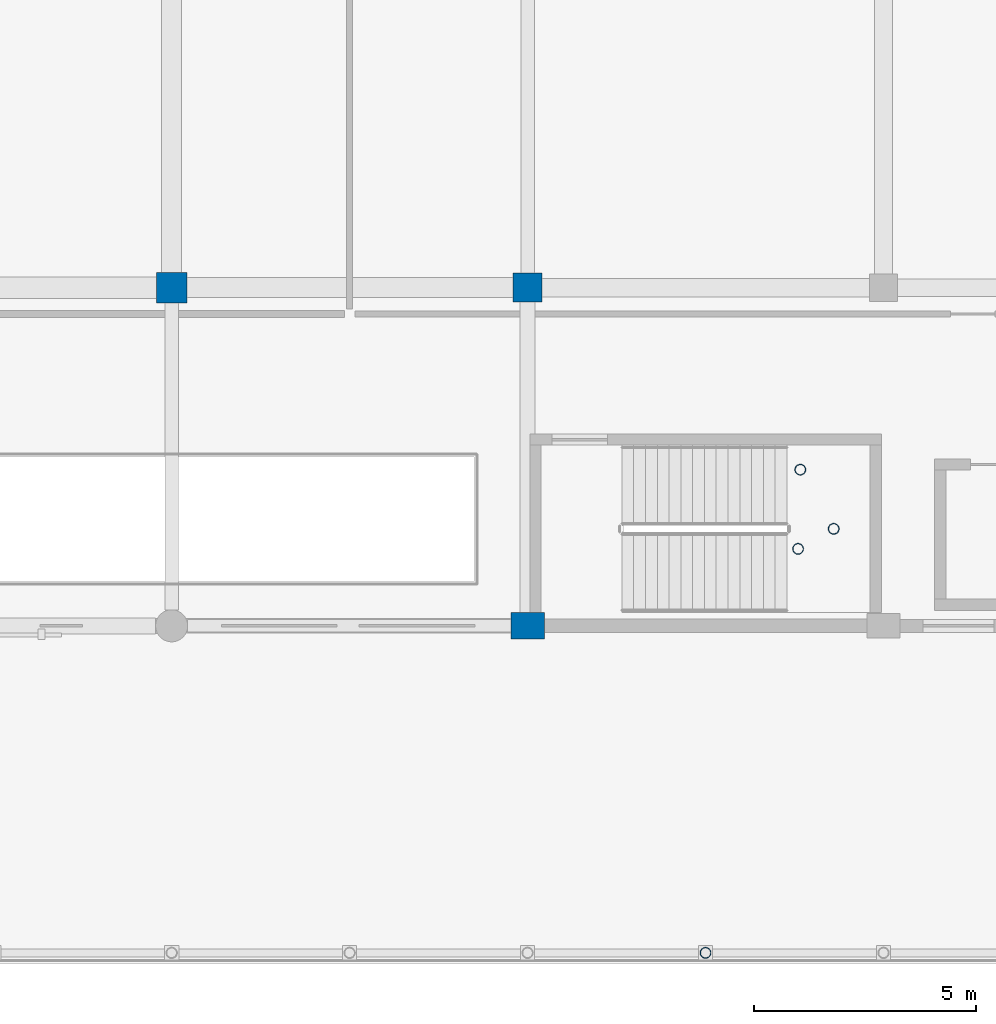
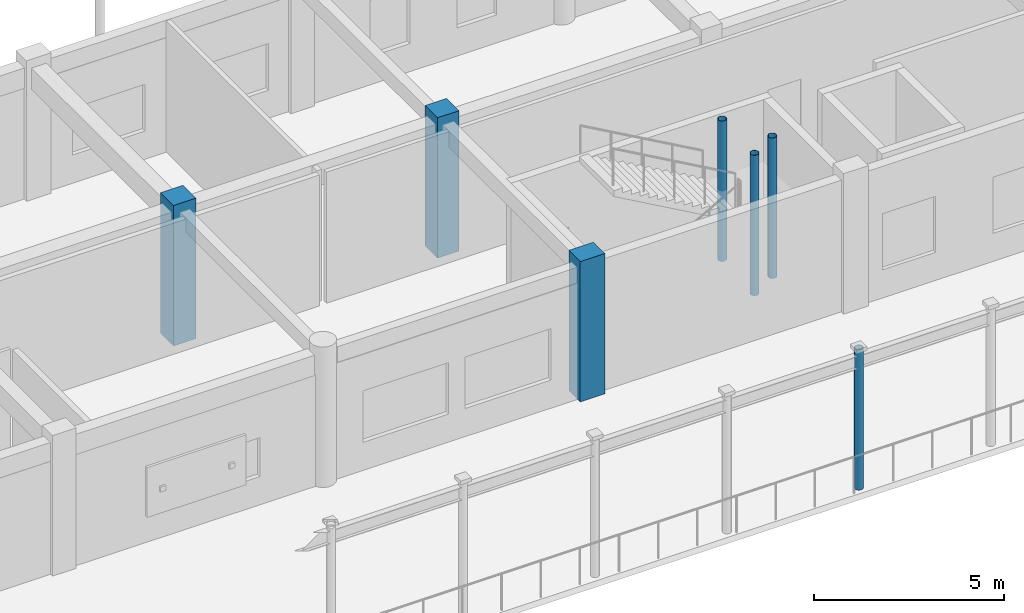
# One storey, part 9 of 160: 7 columns.
"""IFC4 building model written with IfcOpenShell, lengths in metres."""

from ifc_helpers import new_model, si_unit, direction, frame, origin, origin_2d, place, context, subcontext, project, spatial, rectangle, hollow_circle, extrude, material, material_profile, profile_set, type_object, element, save


model = new_model("IFC4")

# Units and contexts
model_context = context("Model", 3, precision=1e-05, world=origin(), true_north=direction((0.0, 1.0)))
body_context = subcontext(model_context, "Body", "Model", "MODEL_VIEW")
ifc_project = project(units=[si_unit("LENGTHUNIT", "METRE"), si_unit("AREAUNIT", "SQUARE_METRE"), si_unit("VOLUMEUNIT", "CUBIC_METRE"), si_unit("PLANEANGLEUNIT", "RADIAN"), si_unit("MASSUNIT", "GRAM", prefix="KILO")], contexts=[model_context])

# Site, building, storey
site_placement = place(None, origin())
site = spatial("IfcSite", under=ifc_project, at=site_placement, CompositionType="ELEMENT")
building_placement = place(site_placement, origin())
building = spatial("IfcBuilding", under=site, at=building_placement, Name="Kharva Crest Polytechnic", CompositionType="ELEMENT")
storey_placement = place(building_placement, frame((0.0, 0.0, 4.5)))
storey = spatial("IfcBuildingStorey", under=building, at=storey_placement, Name="L01", CompositionType="ELEMENT", Elevation=4.5)

# Columns
ifc_material_1 = material(Name="Concrete C40/50", Category="concrete")
ifc_material_profile_1 = material_profile(ifc_material_1, rectangle(XDim=0.75, YDim=0.60009765625, at=origin_2d()), Name="RECT 750 X 600")
ifc_profile_set_1 = profile_set([ifc_material_profile_1], Name="Concrete C40/50")
column_type_1 = type_object("IfcColumnType", Name="COL-EXT-750X600", PredefinedType="COLUMN", material=ifc_profile_set_1)
column_1_placement = place(storey_placement, frame((88.0, 7.60009765625, 0.0), z_axis=(0.0, 0.0, 1.0), x_axis=(1.0, 0.0, 0.0)))
element("IfcColumn", 1, at=column_1_placement, inside=storey, type_object=column_type_1, Name="L01 Column 12/B", PredefinedType="COLUMN", context=body_context, shape_type="SweptSolid", body=[
    extrude(rectangle(XDim=0.75, YDim=0.60009765625, at=origin_2d()), origin(), (0.0, 0.0, 1.0), 4.5),
])
ifc_material_profile_2 = material_profile(ifc_material_1, rectangle(XDim=0.64990234375, YDim=0.64990234375, at=origin_2d()), Name="RECT 650 X 650")
ifc_profile_set_2 = profile_set([ifc_material_profile_2], Name="Concrete C40/50")
column_type_2 = type_object("IfcColumnType", Name="COL-INT-650X650", PredefinedType="COLUMN", material=ifc_profile_set_2)
column_2_placement = place(storey_placement, frame((88.0, 15.199951171875, 0.0), z_axis=(0.0, 0.0, 1.0), x_axis=(1.0, 0.0, 0.0)))
element("IfcColumn", 2, at=column_2_placement, inside=storey, type_object=column_type_2, Name="L01 Column 12/C", PredefinedType="COLUMN", context=body_context, shape_type="SweptSolid", body=[
    extrude(rectangle(XDim=0.64990234375, YDim=0.64990234375, at=origin_2d()), origin(), (0.0, 0.0, 1.0), 4.5),
])
ifc_material_profile_3 = material_profile(ifc_material_1, rectangle(XDim=0.679931640625, YDim=0.679931640625, at=origin_2d()), Name="RECT 680 X 680")
ifc_profile_set_3 = profile_set([ifc_material_profile_3], Name="Concrete C40/50")
column_type_3 = type_object("IfcColumnType", Name="COL-INT-680X680", PredefinedType="COLUMN", material=ifc_profile_set_3)
column_3_placement = place(storey_placement, frame((80.0, 15.199951171875, 0.0), z_axis=(0.0, 0.0, 1.0), x_axis=(1.0, 0.0, 0.0)))
element("IfcColumn", 3, at=column_3_placement, inside=storey, type_object=column_type_3, Name="L01 Column 11/C", PredefinedType="COLUMN", context=body_context, shape_type="SweptSolid", body=[
    extrude(rectangle(XDim=0.679931640625, YDim=0.679931640625, at=origin_2d()), origin(), (0.0, 0.0, 1.0), 4.5),
])
ifc_material_2 = material(Name="Steel S355", Category="steel")
ifc_material_profile_4 = material_profile(ifc_material_2, hollow_circle(Radius=0.122314453125, WallThickness=0.010009765625, at=origin_2d()), Name="CHS 244.5X10.0")
ifc_profile_set_4 = profile_set([ifc_material_profile_4], Name="Steel S355")
column_type_4 = type_object("IfcColumnType", Name="COL-STL-CHS244", PredefinedType="COLUMN", material=ifc_profile_set_4)
for number, where, z_axis, x_axis, name in (
    (4, (92.0, 0.25, 0.0), (0.0, 0.0, 1.0), (1.0, 0.0, 0.0), "L01 Colonnade Mid Column ASM04"),
    (5, (94.080078125, 9.330078125, 0.0), (0.0, 0.0, 1.0), (1.0, 0.0, 0.0), "L01 Stair ST-08 Landing Support Column SW"),
    (6, (94.1298828125, 11.110107421875, 0.0), (0.0, 0.0, 1.0), (1.0, 0.0, 0.0), "L01 Stair ST-08 Landing Support Column NW"),
    (7, (94.8798828125, 9.780029296875, 0.0), (0.0, 0.0, 1.0), (1.0, 0.0, 0.0), "L01 Stair ST-08 Landing Support Column EM"),
):
    element("IfcColumn", number, at=place(storey_placement, frame(where, z_axis=z_axis, x_axis=x_axis)), inside=storey, type_object=column_type_4, Name=name, PredefinedType="COLUMN", context=body_context, shape_type="SweptSolid", body=[
        extrude(hollow_circle(Radius=0.122314453125, WallThickness=0.010009765625, at=origin_2d()), origin(), (0.0, 0.0, 1.0), 4.5),
    ])

save(model, "model.ifc")
